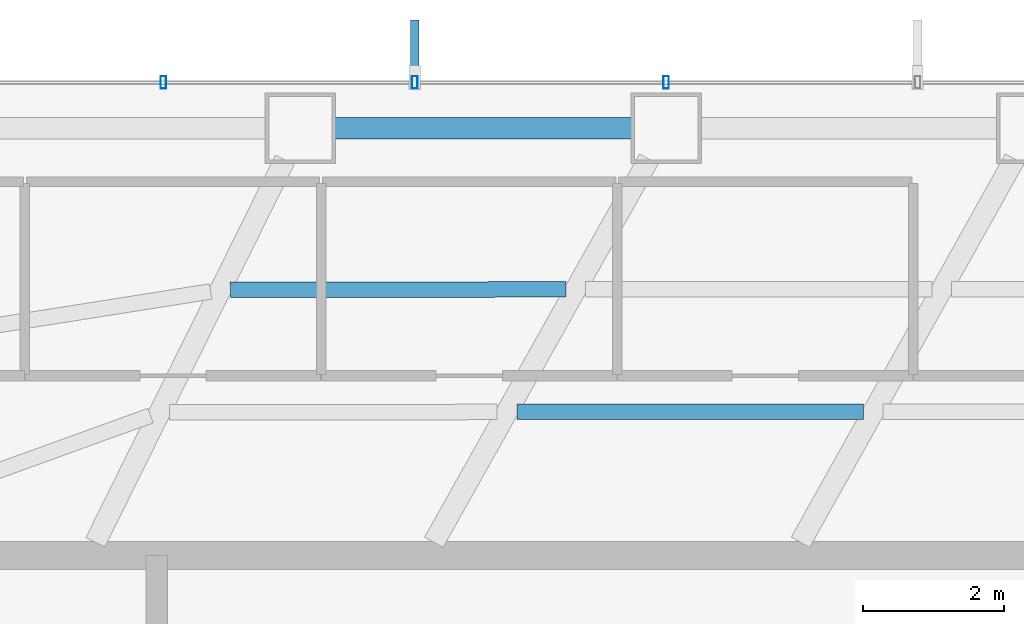
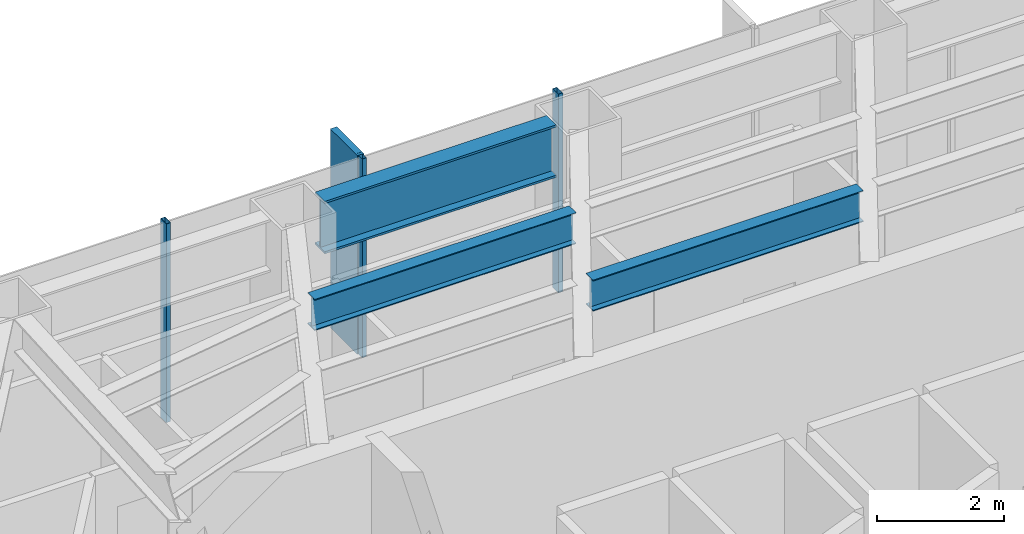
# One storey, part 14 of 26: 4 members, 3 beams, 1 element without a shape of its own.
"""IFC4 building model written with IfcOpenShell, lengths in metres."""

import ifcopenshell
import ifcopenshell.guid

model = None  # the IFC model being written
_history = None  # IfcOwnerHistory: only IFC2X3 demands one
_inside = {}  # id of a spatial element -> (the spatial element, [elements in it])
_under = {}  # id of a project, library or spatial element -> (it, [spatial elements below it])
_declared = {}  # id of a project -> (the project, [libraries it declares])
_typed = {}  # id of a type object -> (the type object, [elements of that type])
_made_of = {}  # id of a material, layer set ... -> (it, [elements and type objects made of it])


def new_model(schema):
    """Start an empty IFC model of exactly this schema.

    Asked for "IFC4X3", IfcOpenShell would pick the latest addendum, in which some entities
    have other attributes; the version numbers below select the first issue.
    IFC2X3 requires an IfcOwnerHistory on every rooted entity: one is made here for all.
    """
    global model, _history
    if schema == "IFC4X3":
        model = ifcopenshell.file(schema_version=(4, 3, 0, 0))
    else:
        model = ifcopenshell.file(schema=schema)
    _inside.clear()
    _under.clear()
    _declared.clear()
    _typed.clear()
    _made_of.clear()
    _history = None
    if model.schema == "IFC2X3":
        org = make("IfcOrganization", Name="unknown")
        user = make(
            "IfcPersonAndOrganization",
            ThePerson=make("IfcPerson", FamilyName="unknown"),
            TheOrganization=org,
        )
        app = make(
            "IfcApplication",
            ApplicationDeveloper=org,
            Version="unknown",
            ApplicationFullName="unknown",
            ApplicationIdentifier="unknown",
        )
        _history = make(
            "IfcOwnerHistory",
            OwningUser=user,
            OwningApplication=app,
            ChangeAction="ADDED",
            CreationDate=0,
        )
    return model


def make(cls, **values):
    """One entity of the class cls with the attributes given. An attribute that is None is left unset."""
    return model.create_entity(
        cls, **{name: value for name, value in values.items() if value is not None}
    )


def rooted(cls, **values):
    """An entity with a GlobalId (a new one), such as an element, a storey or a relation."""
    return make(cls, GlobalId=ifcopenshell.guid.new(), OwnerHistory=_history, **values)


def si_unit(unit_type, name, prefix=None):
    """IfcSIUnit, for example si_unit("LENGTHUNIT", "METRE", prefix="MILLI")."""
    return make("IfcSIUnit", UnitType=unit_type, Prefix=prefix, Name=name)


def assignment(units):
    """IfcUnitAssignment: the units of a project."""
    return None if units is None else make("IfcUnitAssignment", Units=units)


def point(xyz):
    """IfcCartesianPoint."""
    return None if xyz is None else make("IfcCartesianPoint", Coordinates=xyz)


def direction(xyz):
    """IfcDirection."""
    return None if xyz is None else make("IfcDirection", DirectionRatios=xyz)


def frame(location, z_axis=None, x_axis=None):
    """IfcAxis2Placement3D, a coordinate frame: its origin and axes. An axis left out is left unset."""
    return make(
        "IfcAxis2Placement3D",
        Location=point(location),
        Axis=direction(z_axis),
        RefDirection=direction(x_axis),
    )


def frame_2d(location, x_axis=None):
    """IfcAxis2Placement2D, a coordinate frame in the plane: its origin and x axis."""
    return make(
        "IfcAxis2Placement2D", Location=point(location), RefDirection=direction(x_axis)
    )


def origin():
    """The frame at (0, 0, 0) with its axes left unset."""
    return frame((0.0, 0.0, 0.0))


def origin_2d():
    """The frame at (0, 0) in the plane with its x axis left unset."""
    return frame_2d((0.0, 0.0))


def place(relative_to, where):
    """IfcLocalPlacement: puts the frame where relative to a parent placement (None: the world)."""
    return make(
        "IfcLocalPlacement", PlacementRelTo=relative_to, RelativePlacement=where
    )


def context(
    kind, dimensions, precision=None, world=None, true_north=None, identifier=None
):
    """IfcGeometricRepresentationContext, for example the 3D "Model" context."""
    return make(
        "IfcGeometricRepresentationContext",
        ContextIdentifier=identifier,
        ContextType=kind,
        CoordinateSpaceDimension=dimensions,
        Precision=precision,
        WorldCoordinateSystem=world,
        TrueNorth=true_north,
    )


def subcontext(parent, identifier, kind, view, scale=None):
    """IfcGeometricRepresentationSubContext, for example "Body" below "Model"."""
    return make(
        "IfcGeometricRepresentationSubContext",
        ContextIdentifier=identifier,
        ContextType=kind,
        ParentContext=parent,
        TargetScale=scale,
        TargetView=view,
    )


def project(units=None, contexts=None):
    """IfcProject with its units and contexts."""
    return rooted(
        "IfcProject",
        Name="project",
        RepresentationContexts=contexts,
        UnitsInContext=assignment(units),
    )


def spatial(cls, under=None, at=None, **own):
    """A site, building, storey or space (cls), placed at a placement, below another one or the project."""
    s = rooted(cls, ObjectPlacement=at, **own)
    if under is not None:
        _under.setdefault(under.id(), (under, []))[1].append(s)
    return s


def profile(cls, at=None, kind="AREA", **sizes):
    """A parametric profile (cls). Its sizes go by their IFC names, for example OverallWidth=200.0."""
    return make(cls, ProfileType=kind, Position=at, **sizes)


def rectangle(**sizes):
    """IfcRectangleProfileDef."""
    return profile("IfcRectangleProfileDef", **sizes)


def hollow_rectangle(**sizes):
    """IfcRectangleHollowProfileDef."""
    return profile("IfcRectangleHollowProfileDef", **sizes)


def i_section(**sizes):
    """IfcIShapeProfileDef."""
    return profile("IfcIShapeProfileDef", **sizes)


def extrude(swept, where, along, depth):
    """IfcExtrudedAreaSolid: the profile swept, set in the frame where, extruded along a direction by depth."""
    return make(
        "IfcExtrudedAreaSolid",
        SweptArea=swept,
        Position=where,
        ExtrudedDirection=direction(along),
        Depth=depth,
    )


def shape(context_of_items, identifier, shape_type, items):
    """IfcShapeRepresentation: the items that make up one representation, for example the "Body"."""
    return make(
        "IfcShapeRepresentation",
        ContextOfItems=context_of_items,
        RepresentationIdentifier=identifier,
        RepresentationType=shape_type,
        Items=items,
    )


def material(Name=None, Category=None):
    """IfcMaterial."""
    return make("IfcMaterial", Name=Name, Category=Category)


def layer(
    of_material, thickness, ventilated=None, Name=None, Category=None, Priority=None
):
    """IfcMaterialLayer: one layer of a wall or slab, of a material (None: an air gap)."""
    return make(
        "IfcMaterialLayer",
        Material=of_material,
        LayerThickness=thickness,
        IsVentilated=ventilated,
        Name=Name,
        Category=Category,
        Priority=Priority,
    )


def layer_set(layers, Name=None):
    """IfcMaterialLayerSet."""
    return make("IfcMaterialLayerSet", MaterialLayers=layers, LayerSetName=Name)


def material_profile(
    of_material, cross_section, Name=None, Category=None, Priority=None
):
    """IfcMaterialProfile: a cross section and its material."""
    return make(
        "IfcMaterialProfile",
        Name=Name,
        Material=of_material,
        Profile=cross_section,
        Priority=Priority,
        Category=Category,
    )


def profile_set(profiles, Name=None, composite=None):
    """IfcMaterialProfileSet."""
    return make(
        "IfcMaterialProfileSet",
        Name=Name,
        MaterialProfiles=profiles,
        CompositeProfile=composite,
    )


def made_of(thing, what):
    """Note that an element or type object is made of a material, layer set ...; save() writes the relation."""
    if what is not None:
        _made_of.setdefault(what.id(), (what, []))[1].append(thing)
    return thing


def type_object(cls, material=None, **own):
    """A type object (cls), such as IfcWallType, which elements share."""
    return made_of(rooted(cls, **own), material)


def element(
    cls,
    number,
    at=None,
    inside=None,
    cuts=None,
    type_object=None,
    material=None,
    context=None,
    identifier="Body",
    shape_type=None,
    held_by="IfcProductDefinitionShape",
    body=None,
    shapes=None,
    **own,
):
    """One element of the class cls, such as IfcWall. Its Tag is "e" and its number.

    at: its placement. inside: the storey or other place that contains it. cuts: it is an
    opening in that element (IfcRelVoidsElement). A single representation is given by context,
    identifier, shape_type and body (its items); several are given by shapes. held_by: the class
    of the entity that holds the representations. save() writes the other relations.
    """
    e = rooted(cls, Tag="e%d" % number, ObjectPlacement=at, **own)
    if body is not None:
        shapes = [shape(context, identifier, shape_type, body)]
    if shapes is not None:
        e.Representation = make(held_by, Representations=shapes)
    if inside is not None:
        _inside.setdefault(inside.id(), (inside, []))[1].append(e)
    if cuts is not None:
        rooted(
            "IfcRelVoidsElement", RelatingBuildingElement=cuts, RelatedOpeningElement=e
        )
    if type_object is not None:
        _typed.setdefault(type_object.id(), (type_object, []))[1].append(e)
    return made_of(e, material)


def aggregate(whole, parts):
    """IfcRelAggregates: a whole, such as a stair, and the parts it consists of."""
    return rooted("IfcRelAggregates", RelatingObject=whole, RelatedObjects=parts)


def save(model, path):
    """Write the relations noted so far, then the file.

    IfcRelAggregates (storeys below a building ...), IfcRelContainedInSpatialStructure (elements
    in a storey), IfcRelDefinesByType, IfcRelAssociatesMaterial and IfcRelDeclares: one each for
    every whole, place, type object, material and project.
    """
    for whole, parts in _under.values():
        aggregate(whole, parts)
    for where, things in _inside.values():
        rooted(
            "IfcRelContainedInSpatialStructure",
            RelatedElements=things,
            RelatingStructure=where,
        )
    for kind, things in _typed.values():
        rooted("IfcRelDefinesByType", RelatedObjects=things, RelatingType=kind)
    for what, things in _made_of.values():
        rooted("IfcRelAssociatesMaterial", RelatedObjects=things, RelatingMaterial=what)
    for by, libraries in _declared.values():
        rooted("IfcRelDeclares", RelatingContext=by, RelatedDefinitions=libraries)
    model.write(path)


model = new_model("IFC4")

# Units and contexts
model_context = context("Model", 3, precision=1e-05, world=origin(), true_north=direction((0.0, 1.0)))
body_context = subcontext(model_context, "Body", "Model", "MODEL_VIEW")
ifc_project = project(units=[si_unit("LENGTHUNIT", "METRE"), si_unit("AREAUNIT", "SQUARE_METRE"), si_unit("VOLUMEUNIT", "CUBIC_METRE"), si_unit("PLANEANGLEUNIT", "RADIAN"), si_unit("MASSUNIT", "GRAM", prefix="KILO")], contexts=[model_context])

# Site, building, storey
site_placement = place(None, origin())
site = spatial("IfcSite", under=ifc_project, at=site_placement, CompositionType="ELEMENT")
building_placement = place(site_placement, origin())
building = spatial("IfcBuilding", under=site, at=building_placement, Name="Zarrinselat Tower", CompositionType="ELEMENT")
storey_placement = place(building_placement, frame((0.0, 0.0, 31.6201171875)))
storey = spatial("IfcBuildingStorey", under=building, at=storey_placement, Name="L07", CompositionType="ELEMENT", Elevation=31.6201171875)

# Beams
ifc_material_1 = material(Name="Steel S460M", Category="steel")
ifc_material_profile_1 = material_profile(ifc_material_1, i_section(OverallWidth=0.302001953125, OverallDepth=1.008056640625, WebThickness=0.02099609375, FlangeThickness=0.0400390625, at=origin_2d()), Name="HEM 1000")
ifc_profile_set_1 = profile_set([ifc_material_profile_1], Name="Steel S460M")
beam_type_1 = type_object("IfcBeamType", Name="BM-HEM1000", PredefinedType="BEAM", material=ifc_profile_set_1)
beam_1_placement = place(storey_placement, frame((34.396484375, 49.510986328125, 3.31591796875), z_axis=(1.0, 0.0, 0.0), x_axis=(0.0, 1.0, 0.0)))
element("IfcBeam", 1, at=beam_1_placement, inside=storey, type_object=beam_type_1, Name="L07 Perimeter Spandrel Girder SP03", PredefinedType="BEAM", context=body_context, shape_type="SweptSolid", body=[
    extrude(i_section(OverallWidth=0.302001953125, OverallDepth=1.008056640625, WebThickness=0.02099609375, FlangeThickness=0.0400390625, at=origin_2d()), origin(), (0.0, 0.0, 1.0), 4.2099609375),
])
ifc_material_2 = material(Name="Steel S355J2", Category="steel")
ifc_material_profile_2 = material_profile(ifc_material_2, i_section(OverallWidth=0.219970703125, OverallDepth=0.60009765625, WebThickness=0.011962890625, FlangeThickness=0.01904296875, at=origin_2d()), Name="IPE 600")
ifc_profile_set_2 = profile_set([ifc_material_profile_2], Name="Steel S355J2")
beam_type_2 = type_object("IfcBeamType", Name="BM-IPE600", PredefinedType="JOIST", material=ifc_profile_set_2)
beam_2_placement = place(storey_placement, frame((36.9765625, 45.4873046875, 3.519775390625), z_axis=(1.0, 0.0, 0.0), x_axis=(0.0, 1.0, 0.0)))
element("IfcBeam", 2, at=beam_2_placement, inside=storey, type_object=beam_type_2, Name="L07 Composite Floor Joist 9-2", PredefinedType="JOIST", context=body_context, shape_type="SweptSolid", body=[
    extrude(i_section(OverallWidth=0.219970703125, OverallDepth=0.60009765625, WebThickness=0.011962890625, FlangeThickness=0.01904296875, at=origin_2d()), origin(), (0.0, 0.0, 1.0), 4.91552734375),
])
beam_3_placement = place(storey_placement, frame((32.91259765625, 47.21826171875, 3.519775390625), z_axis=(0.999998735712, 0.00159014931, 0.0), x_axis=(-0.00159014931, 0.999998735712, 0.0)))
element("IfcBeam", 3, at=beam_3_placement, inside=storey, type_object=beam_type_2, Name="L07 Composite Floor Joist 10-1", PredefinedType="JOIST", context=body_context, shape_type="SweptSolid", body=[
    extrude(i_section(OverallWidth=0.219970703125, OverallDepth=0.60009765625, WebThickness=0.011962890625, FlangeThickness=0.01904296875, at=origin_2d()), origin(), (0.0, 0.0, 1.0), 4.759521484375),
])

# Curtain wall, members
ifc_material_3 = material(Name="Extruded Aluminium Alloy EN AW-6063 T6", Category="aluminium")
ifc_layer = layer(ifc_material_3, 0.18505859375)
ifc_layer_set = layer_set([ifc_layer], Name="Extruded Aluminium Alloy EN AW-6063 T6")
curtain_wall_type = type_object("IfcCurtainWallType", Name="CWS-OFF", PredefinedType="NOTDEFINED", material=ifc_layer_set)
curtain_wall_placement = place(storey_placement, origin())
curtain_wall = element("IfcCurtainWall", 4, at=curtain_wall_placement, inside=storey, type_object=curtain_wall_type, Name="L07 Unitised Curtain Wall CW-L07-E01", PredefinedType="NOTDEFINED")
ifc_material_4 = material(Name="Extruded Aluminium Alloy EN AW-6063 T6", Category="aluminium")
ifc_material_profile_3 = material_profile(ifc_material_4, hollow_rectangle(XDim=0.080078125, YDim=0.179931640625, WallThickness=0.0048828125, at=origin_2d()), Name="RHS 180x80x5")
ifc_profile_set_3 = profile_set([ifc_material_profile_3], Name="Extruded Aluminium Alloy EN AW-6063 T6")
member_type_1 = type_object("IfcMemberType", Name="MEM-CW-MUL", PredefinedType="MULLION", material=ifc_profile_set_3)
member_1_placement = place(storey_placement, frame((39.094482421875, 50.1611328125, 0.0), z_axis=(0.0, 0.0, 1.0), x_axis=(-1.0, 0.0, 0.0)))
member_1 = element("IfcMember", 5, at=member_1_placement, type_object=member_type_1, Name="CW-L07-E01 Mullion 4", PredefinedType="MULLION", context=body_context, shape_type="SweptSolid", body=[
    extrude(hollow_rectangle(XDim=0.080078125, YDim=0.179931640625, WallThickness=0.0048828125, at=origin_2d()), origin(), (0.0, 0.0, 1.0), 3.81982421875),
])
member_2_placement = place(storey_placement, frame((35.529296875, 50.1611328125, 0.0), z_axis=(0.0, 0.0, 1.0), x_axis=(-1.0, 0.0, 0.0)))
member_2 = element("IfcMember", 6, at=member_2_placement, type_object=member_type_1, Name="CW-L07-E01 Mullion 5", PredefinedType="MULLION", context=body_context, shape_type="SweptSolid", body=[
    extrude(hollow_rectangle(XDim=0.080078125, YDim=0.179931640625, WallThickness=0.0048828125, at=origin_2d()), origin(), (0.0, 0.0, 1.0), 3.81982421875),
])
member_3_placement = place(storey_placement, frame((31.96435546875, 50.1611328125, 0.0), z_axis=(0.0, 0.0, 1.0), x_axis=(-1.0, 0.0, 0.0)))
member_3 = element("IfcMember", 7, at=member_3_placement, type_object=member_type_1, Name="CW-L07-E01 Mullion 6", PredefinedType="MULLION", context=body_context, shape_type="SweptSolid", body=[
    extrude(hollow_rectangle(XDim=0.080078125, YDim=0.179931640625, WallThickness=0.0048828125, at=origin_2d()), origin(), (0.0, 0.0, 1.0), 3.81982421875),
])
ifc_material_5 = material(Name="Honed Cream Travertine Stone", Category="masonry")
ifc_material_profile_4 = material_profile(ifc_material_5, rectangle(XDim=0.1201171875, YDim=0.85009765625, at=origin_2d()), Name="FIN 850x120")
ifc_profile_set_4 = profile_set([ifc_material_profile_4], Name="Honed Cream Travertine Stone")
member_type_2 = type_object("IfcMemberType", Name="MEM-STONE-FIN", PredefinedType="USERDEFINED", material=ifc_profile_set_4)
member_4_placement = place(storey_placement, frame((35.529296875, 50.62109375, 0.0), z_axis=(0.0, 0.0, 1.0), x_axis=(1.0, 0.0, 0.0)))
member_4 = element("IfcMember", 8, at=member_4_placement, type_object=member_type_2, Name="L07 Stone Shading Fin CW-L07-E01-05", ObjectType="FIN", PredefinedType="USERDEFINED", context=body_context, shape_type="SweptSolid", body=[
    extrude(rectangle(XDim=0.1201171875, YDim=0.85009765625, at=origin_2d()), origin(), (0.0, 0.0, 1.0), 3.81982421875),
])
aggregate(curtain_wall, [member_1, member_2, member_4, member_3])

save(model, "model.ifc")
